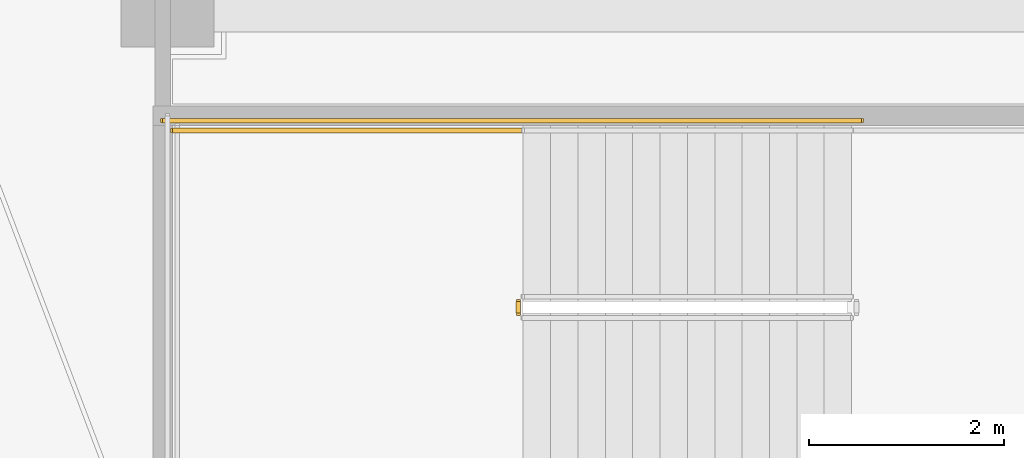
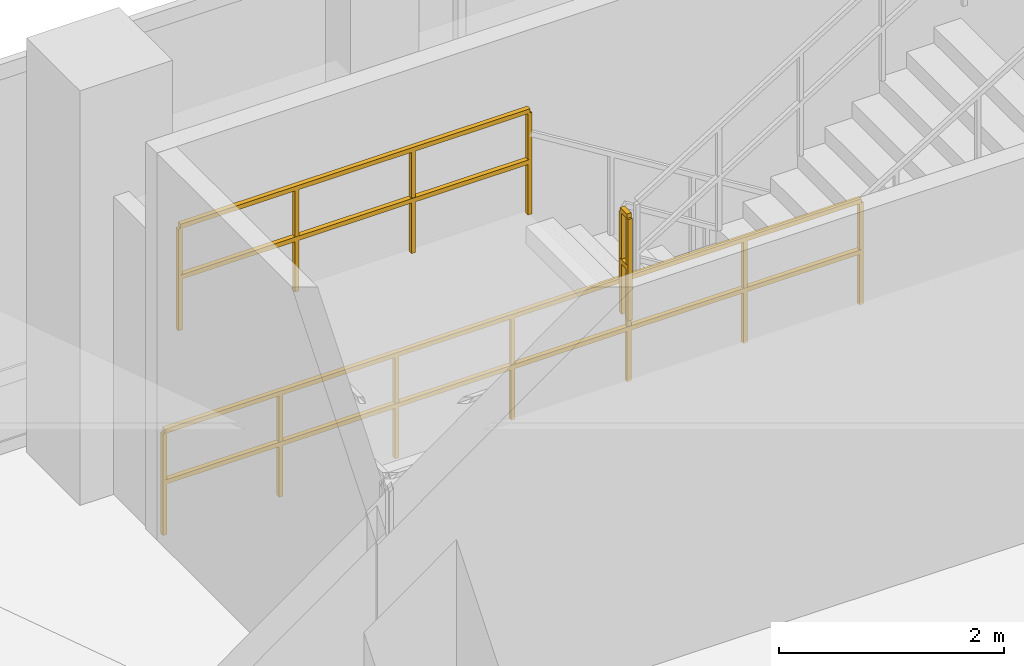
# One storey, part 33 of 36: 3 railings.
"""IFC4 building model written with IfcOpenShell, lengths in metres."""

from ifc_helpers import new_model, si_unit, direction, frame, origin, origin_2d, place, context, subcontext, project, spatial, rectangle, extrude, material, type_object, element, save


model = new_model("IFC4")

# Units and contexts
model_context = context("Model", 3, precision=1e-05, world=origin(), true_north=direction((-0.2419218956, 0.970295726276)))
body_context = subcontext(model_context, "Body", "Model", "MODEL_VIEW")
ifc_project = project(units=[si_unit("LENGTHUNIT", "METRE"), si_unit("AREAUNIT", "SQUARE_METRE"), si_unit("VOLUMEUNIT", "CUBIC_METRE"), si_unit("PLANEANGLEUNIT", "RADIAN"), si_unit("MASSUNIT", "GRAM", prefix="KILO")], contexts=[model_context])

# Site, building, storey
site_placement = place(None, origin())
site = spatial("IfcSite", under=ifc_project, at=site_placement, CompositionType="ELEMENT")
building_placement = place(site_placement, origin())
building = spatial("IfcBuilding", under=site, at=building_placement, Name="Cobrevalo Terracotta Tower", CompositionType="ELEMENT")
storey_placement = place(building_placement, frame((0.0, 0.0, 5.39990234375)))
storey = spatial("IfcBuildingStorey", under=building, at=storey_placement, Name="L01", CompositionType="ELEMENT", Elevation=5.39990234375)

# Railings
ifc_material = material(Name="Painted galvanized steel", Category="steel")
railing_type = type_object("IfcRailingType", Name="Stair Well Guard Balustrade 1150", PredefinedType="GUARDRAIL", material=ifc_material)
railing_1_placement = place(storey_placement, frame((61.090087890625, 47.719970703125, 2.25)))
element("IfcRailing", 1, at=railing_1_placement, inside=storey, type_object=railing_type, Name="L01 ST-P2 stair guard 2", PredefinedType="GUARDRAIL", context=body_context, shape_type="SweptSolid", body=[
    extrude(rectangle(XDim=0.048095703125, YDim=0.048095703125, at=origin_2d()), frame((0.0, 0.0, 1.1259765625), z_axis=(0.0, -1.0, 0.0), x_axis=(1.0, 0.0, 0.0)), (0.0, 0.0, 1.0), 0.119873046875),
    extrude(rectangle(XDim=0.048095703125, YDim=0.048095703125, at=origin_2d()), frame((0.0, 0.0, 0.574951171875), z_axis=(0.0, -1.0, 0.0), x_axis=(1.0, 0.0, 0.0)), (0.0, 0.0, 1.0), 0.119873046875),
    extrude(rectangle(XDim=0.0419921875, YDim=0.0419921875, at=origin_2d()), origin(), (0.0, 0.0, 1.0), 1.101806640625),
    extrude(rectangle(XDim=0.0419921875, YDim=0.0419921875, at=origin_2d()), frame((0.0, -0.119873046875, 0.0)), (0.0, 0.0, 1.0), 1.101806640625),
])
railing_2_placement = place(storey_placement, frame((61.139892578125, 49.469970703125, 2.25)))
element("IfcRailing", 2, at=railing_2_placement, inside=storey, type_object=railing_type, Name="L01 ST-P2 stair guard 3", PredefinedType="GUARDRAIL", context=body_context, shape_type="SweptSolid", body=[
    extrude(rectangle(XDim=0.048095703125, YDim=0.048095703125, at=origin_2d()), frame((0.0, 0.0, 1.1259765625), z_axis=(-1.0, 0.0, 0.0), x_axis=(0.0, -1.0, 0.0)), (0.0, 0.0, 1.0), 3.58984375),
    extrude(rectangle(XDim=0.048095703125, YDim=0.048095703125, at=origin_2d()), frame((0.0, 0.0, 0.574951171875), z_axis=(-1.0, 0.0, 0.0), x_axis=(0.0, -1.0, 0.0)), (0.0, 0.0, 1.0), 3.58984375),
    extrude(rectangle(XDim=0.0419921875, YDim=0.0419921875, at=origin_2d()), origin(), (0.0, 0.0, 1.0), 1.101806640625),
    extrude(rectangle(XDim=0.0419921875, YDim=0.0419921875, at=origin_2d()), frame((-1.196533203125, 0.0, 0.0)), (0.0, 0.0, 1.0), 1.101806640625),
    extrude(rectangle(XDim=0.0419921875, YDim=0.0419921875, at=origin_2d()), frame((-2.393310546875, 0.0, 0.0)), (0.0, 0.0, 1.0), 1.101806640625),
    extrude(rectangle(XDim=0.0419921875, YDim=0.0419921875, at=origin_2d()), frame((-3.58984375, 0.0, 0.0)), (0.0, 0.0, 1.0), 1.101806640625),
])
railing_3_placement = place(storey_placement, frame((64.60009765625, 49.570068359375, 0.0)))
element("IfcRailing", 3, at=railing_3_placement, inside=storey, type_object=railing_type, Name="L01 ST-P2 stair guard 10", PredefinedType="GUARDRAIL", context=body_context, shape_type="SweptSolid", body=[
    extrude(rectangle(XDim=0.048095703125, YDim=0.048095703125, at=origin_2d()), frame((0.0, 0.0, 1.1259765625), z_axis=(-1.0, 0.0, 0.0), x_axis=(0.0, -1.0, 0.0)), (0.0, 0.0, 1.0), 7.150146484375),
    extrude(rectangle(XDim=0.048095703125, YDim=0.048095703125, at=origin_2d()), frame((0.0, 0.0, 0.574951171875), z_axis=(-1.0, 0.0, 0.0), x_axis=(0.0, -1.0, 0.0)), (0.0, 0.0, 1.0), 7.150146484375),
    extrude(rectangle(XDim=0.0419921875, YDim=0.0419921875, at=origin_2d()), origin(), (0.0, 0.0, 1.0), 1.101806640625),
    extrude(rectangle(XDim=0.0419921875, YDim=0.0419921875, at=origin_2d()), frame((-1.191650390625, 0.0, 0.0)), (0.0, 0.0, 1.0), 1.101806640625),
    extrude(rectangle(XDim=0.0419921875, YDim=0.0419921875, at=origin_2d()), frame((-2.38330078125, 0.0, 0.0)), (0.0, 0.0, 1.0), 1.101806640625),
    extrude(rectangle(XDim=0.0419921875, YDim=0.0419921875, at=origin_2d()), frame((-3.5751953125, 0.0, 0.0)), (0.0, 0.0, 1.0), 1.101806640625),
    extrude(rectangle(XDim=0.0419921875, YDim=0.0419921875, at=origin_2d()), frame((-4.766845703125, 0.0, 0.0)), (0.0, 0.0, 1.0), 1.101806640625),
    extrude(rectangle(XDim=0.0419921875, YDim=0.0419921875, at=origin_2d()), frame((-5.95849609375, 0.0, 0.0)), (0.0, 0.0, 1.0), 1.101806640625),
    extrude(rectangle(XDim=0.0419921875, YDim=0.0419921875, at=origin_2d()), frame((-7.150146484375, 0.0, 0.0)), (0.0, 0.0, 1.0), 1.101806640625),
])

save(model, "model.ifc")
